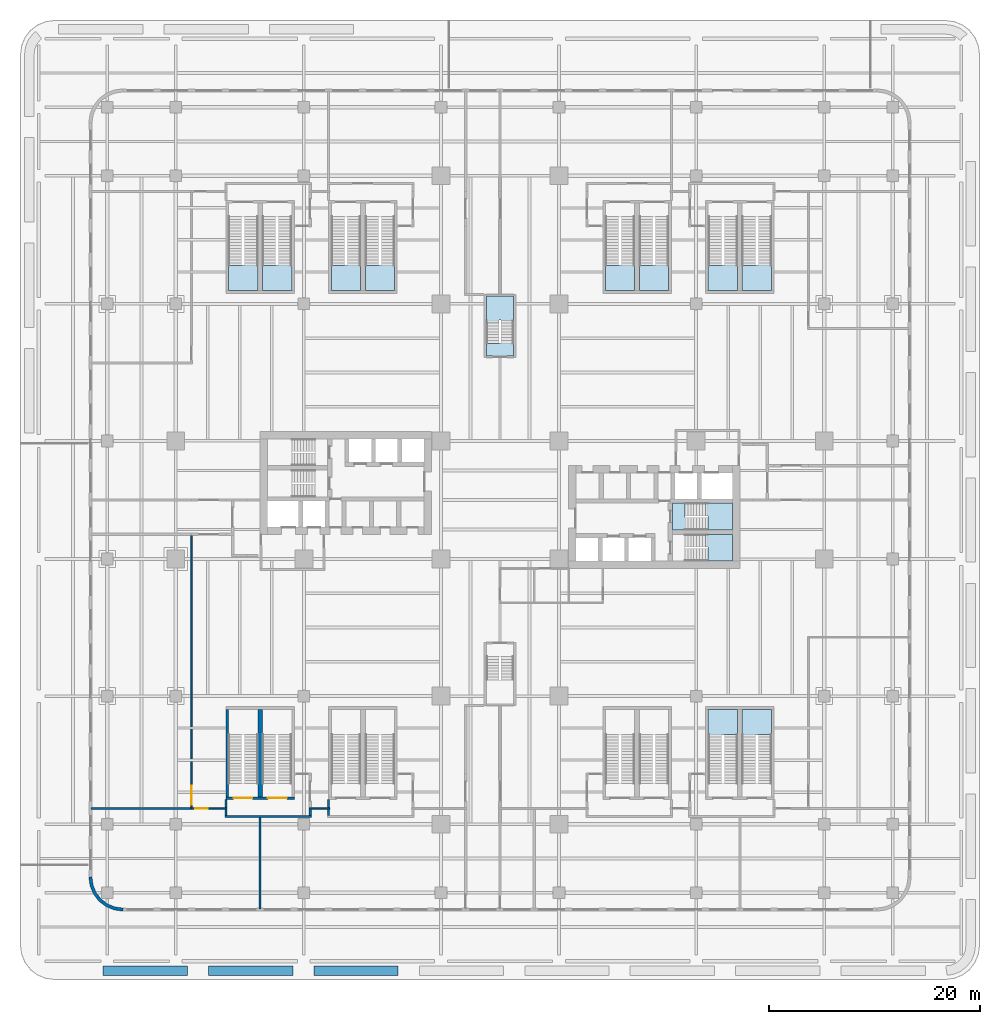
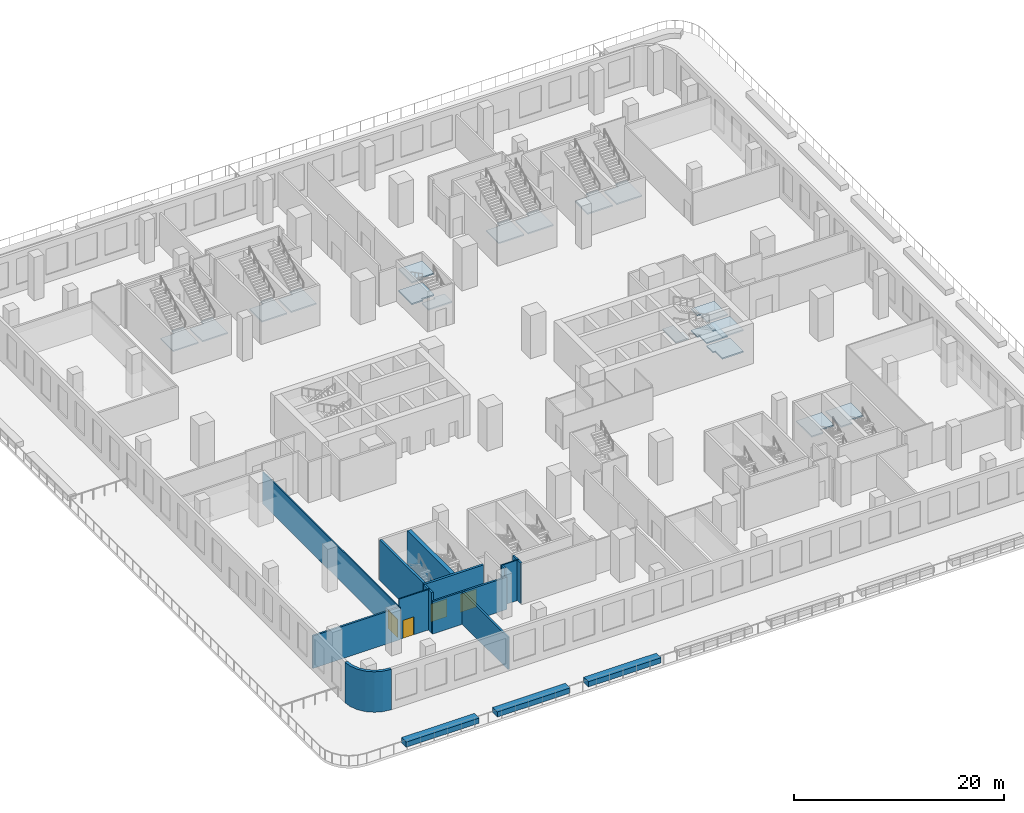
# One storey, part 5 of 18: 18 slabs, 18 walls, 4 doors, 4 openings, 13 elements without a shape of their own.
"""IFC4 building model written with IfcOpenShell, lengths in metres."""

from ifc_helpers import new_model, si_unit, direction, frame, frame_2d, origin, place, context, subcontext, project, spatial, polyline, rectangle, outline, extrude, source, transform, mapped, material, layer, layer_set, type_object, element, fill, aggregate, save


model = new_model("IFC4")

# Units and contexts
model_context = context("Model", 3, precision=1e-05, world=origin(), true_north=direction((0.0, 1.0)))
body_context = subcontext(model_context, "Body", "Model", "MODEL_VIEW")
ifc_project = project(units=[si_unit("LENGTHUNIT", "METRE"), si_unit("AREAUNIT", "SQUARE_METRE"), si_unit("VOLUMEUNIT", "CUBIC_METRE"), si_unit("PLANEANGLEUNIT", "RADIAN"), si_unit("MASSUNIT", "GRAM", prefix="KILO")], contexts=[model_context])

# Site, building, storey
site_placement = place(None, origin())
site = spatial("IfcSite", under=ifc_project, at=site_placement, CompositionType="ELEMENT")
building_placement = place(site_placement, origin())
building = spatial("IfcBuilding", under=site, at=building_placement, Name="Trellis Farm Tower", CompositionType="ELEMENT")
storey_placement = place(building_placement, frame((0.0, 0.0, 14.0)))
storey = spatial("IfcBuildingStorey", under=building, at=storey_placement, Name="L02", CompositionType="ELEMENT", Elevation=14.0)

# Stair, slabs
ifc_material_1 = material(Name="Concrete C50/60", Category="concrete")
stair_type_1 = type_object("IfcStairType", Name="CORE EXIT STAIR 36 RISERS 139 MM", PredefinedType="HALF_TURN_STAIR", material=ifc_material_1)
placement_1 = place(storey_placement, origin())
stair_1 = element("IfcStair", 1, at=placement_1, inside=storey, type_object=stair_type_1, Name="Exit stair N", PredefinedType="HALF_TURN_STAIR")
ifc_layer_1 = layer(ifc_material_1, 0.14990234375)
ifc_layer_set_1 = layer_set([ifc_layer_1], Name="CORE STAIR LANDING 150 CONCRETE C50/60")
slab_type = type_object("IfcSlabType", Name="CORE STAIR LANDING 150 CONCRETE C50/60", PredefinedType="LANDING", material=ifc_layer_set_1)
shared_shape_1 = source(origin(), body_context, "Body", "SweptSolid", [
    extrude(outline(polyline([(-0.10009765625, 16.79052734375), (-1.300048828125, 16.79052734375), (-1.300048828125, 17.050048828125), (-1.300048828125, 19.35009765625), (1.300048828125, 19.35009765625), (1.300048828125, 17.050048828125), (1.300048828125, 17.0400390625), (0.10009765625, 17.0400390625), (0.10009765625, 17.050048828125), (-0.10009765625, 17.050048828125), (-0.10009765625, 16.79052734375)])), origin(), (0.0, 0.0, 1.0), 0.14990234375),
])
placement_2 = place(storey_placement, frame((0.0, 0.0, 1.10009765625)))
slab_1 = element("IfcSlab", 2, at=placement_2, type_object=slab_type, Name="STN landing 1", PredefinedType="LANDING", context=body_context, shape_type="MappedRepresentation", body=[
    mapped(shared_shape_1, transform((0.0, 0.0, 0.0))),
])
placement_3 = place(storey_placement, frame((0.0, 0.0, 3.60009765625)))
slab_2 = element("IfcSlab", 3, at=placement_3, type_object=slab_type, Name="STN landing 3", PredefinedType="LANDING", context=body_context, shape_type="MappedRepresentation", body=[
    mapped(shared_shape_1, transform((0.0, 0.0, 0.0))),
])
shared_shape_2 = source(origin(), body_context, "Body", "SweptSolid", [
    extrude(outline(polyline([(1.300048828125, 13.64990234375), (-1.300048828125, 13.64990234375), (-1.300048828125, 14.85009765625), (-1.300048828125, 14.860107421875), (-0.10009765625, 14.860107421875), (-0.10009765625, 14.85009765625), (0.10009765625, 14.85009765625), (0.10009765625, 15.109375), (1.300048828125, 15.109375), (1.300048828125, 14.85009765625), (1.300048828125, 13.64990234375)])), origin(), (0.0, 0.0, 1.0), 0.14990234375),
])
placement_4 = place(storey_placement, frame((0.0, 0.0, 2.35009765625)))
slab_3 = element("IfcSlab", 4, at=placement_4, type_object=slab_type, Name="STN landing 2", PredefinedType="LANDING", context=body_context, shape_type="MappedRepresentation", body=[
    mapped(shared_shape_2, transform((0.0, 0.0, 0.0))),
])
aggregate(stair_1, [slab_1, slab_3, slab_2])

stair_2 = element("IfcStair", 5, at=placement_1, inside=storey, type_object=stair_type_1, Name="Exit stair E1", PredefinedType="HALF_TURN_STAIR")
shared_shape_3 = source(origin(), body_context, "Body", "SweptSolid", [
    extrude(outline(polyline([(19.739990234375, -5.800048828125), (19.739990234375, -4.60009765625), (19.75, -4.60009765625), (19.75, -4.449951171875), (19.49072265625, -4.449951171875), (19.49072265625, -3.25), (19.75, -3.25), (22.050048828125, -3.25), (22.050048828125, -5.800048828125), (19.75, -5.800048828125), (19.739990234375, -5.800048828125)])), origin(), (0.0, 0.0, 1.0), 0.14990234375),
])
slab_4 = element("IfcSlab", 6, at=placement_2, type_object=slab_type, Name="STE1 landing 1", PredefinedType="LANDING", context=body_context, shape_type="MappedRepresentation", body=[
    mapped(shared_shape_3, transform((0.0, 0.0, 0.0))),
])
slab_5 = element("IfcSlab", 7, at=placement_3, type_object=slab_type, Name="STE1 landing 3", PredefinedType="LANDING", context=body_context, shape_type="MappedRepresentation", body=[
    mapped(shared_shape_3, transform((0.0, 0.0, 0.0))),
])
aggregate(stair_2, [slab_4, slab_5])

stair_3 = element("IfcStair", 8, at=placement_1, inside=storey, type_object=stair_type_1, Name="Exit stair E2", PredefinedType="HALF_TURN_STAIR")
shared_shape_4 = source(origin(), body_context, "Body", "SweptSolid", [
    extrude(outline(polyline([(19.739990234375, -2.85009765625), (19.739990234375, -1.64990234375), (19.75, -1.64990234375), (19.75, -1.5), (19.49072265625, -1.5), (19.49072265625, -0.300048828125), (19.75, -0.300048828125), (22.050048828125, -0.300048828125), (22.050048828125, -2.85009765625), (19.75, -2.85009765625), (19.739990234375, -2.85009765625)])), origin(), (0.0, 0.0, 1.0), 0.14990234375),
])
slab_6 = element("IfcSlab", 9, at=placement_2, type_object=slab_type, Name="STE2 landing 1", PredefinedType="LANDING", context=body_context, shape_type="MappedRepresentation", body=[
    mapped(shared_shape_4, transform((0.0, 0.0, 0.0))),
])
slab_7 = element("IfcSlab", 10, at=placement_3, type_object=slab_type, Name="STE2 landing 3", PredefinedType="LANDING", context=body_context, shape_type="MappedRepresentation", body=[
    mapped(shared_shape_4, transform((0.0, 0.0, 0.0))),
])
shared_shape_5 = source(origin(), body_context, "Body", "SweptSolid", [
    extrude(outline(polyline([(17.809326171875, -1.64990234375), (17.809326171875, -2.85009765625), (17.550048828125, -2.85009765625), (16.35009765625, -2.85009765625), (16.35009765625, -0.300048828125), (17.550048828125, -0.300048828125), (17.56005859375, -0.300048828125), (17.56005859375, -1.5), (17.550048828125, -1.5), (17.550048828125, -1.64990234375), (17.809326171875, -1.64990234375)])), origin(), (0.0, 0.0, 1.0), 0.14990234375),
])
slab_8 = element("IfcSlab", 11, at=placement_4, type_object=slab_type, Name="STE2 landing 2", PredefinedType="LANDING", context=body_context, shape_type="MappedRepresentation", body=[
    mapped(shared_shape_5, transform((0.0, 0.0, 0.0))),
])
aggregate(stair_3, [slab_6, slab_8, slab_7])

# Stair, slab
stair_type_2 = type_object("IfcStairType", Name="PODIUM EXIT STAIR 36 RISERS 139 MM 1250 WIDE", PredefinedType="HALF_TURN_STAIR", material=ifc_material_1)
stair_4 = element("IfcStair", 12, at=placement_1, inside=storey, type_object=stair_type_2, Name="Podium exit stair STP1A", PredefinedType="HALF_TURN_STAIR")
shared_shape_6 = source(origin(), body_context, "Body", "SweptSolid", [
    extrude(outline(polyline([(-22.969970703125, 19.85009765625), (-25.75, 19.85009765625), (-25.75, 22.22509765625), (-25.75, 22.235107421875), (-24.5, 22.235107421875), (-24.5, 22.22509765625), (-24.219970703125, 22.22509765625), (-24.219970703125, 22.793701171875), (-22.969970703125, 22.793701171875), (-22.969970703125, 22.22509765625), (-22.969970703125, 19.85009765625)])), origin(), (0.0, 0.0, 1.0), 0.14990234375),
])
slab_9 = element("IfcSlab", 13, at=placement_4, type_object=slab_type, Name="STP1A landing 1", PredefinedType="LANDING", context=body_context, shape_type="MappedRepresentation", body=[
    mapped(shared_shape_6, transform((0.0, 0.0, 0.0))),
])
aggregate(stair_4, [slab_9])

stair_5 = element("IfcStair", 14, at=placement_1, inside=storey, type_object=stair_type_2, Name="Podium exit stair STP1B", PredefinedType="HALF_TURN_STAIR")
shared_shape_7 = source(origin(), body_context, "Body", "SweptSolid", [
    extrude(outline(polyline([(-19.75, 19.85009765625), (-22.530029296875, 19.85009765625), (-22.530029296875, 22.22509765625), (-22.530029296875, 22.235107421875), (-21.280029296875, 22.235107421875), (-21.280029296875, 22.22509765625), (-21.0, 22.22509765625), (-21.0, 22.793701171875), (-19.75, 22.793701171875), (-19.75, 22.22509765625), (-19.75, 19.85009765625)])), origin(), (0.0, 0.0, 1.0), 0.14990234375),
])
slab_10 = element("IfcSlab", 15, at=placement_4, type_object=slab_type, Name="STP1B landing 1", PredefinedType="LANDING", context=body_context, shape_type="MappedRepresentation", body=[
    mapped(shared_shape_7, transform((0.0, 0.0, 0.0))),
])
aggregate(stair_5, [slab_10])

stair_6 = element("IfcStair", 16, at=placement_1, inside=storey, type_object=stair_type_2, Name="Podium exit stair STP2A", PredefinedType="HALF_TURN_STAIR")
shared_shape_8 = source(origin(), body_context, "Body", "SweptSolid", [
    extrude(outline(polyline([(-13.219970703125, 19.85009765625), (-16.0, 19.85009765625), (-16.0, 22.22509765625), (-16.0, 22.235107421875), (-14.75, 22.235107421875), (-14.75, 22.22509765625), (-14.469970703125, 22.22509765625), (-14.469970703125, 22.793701171875), (-13.219970703125, 22.793701171875), (-13.219970703125, 22.22509765625), (-13.219970703125, 19.85009765625)])), origin(), (0.0, 0.0, 1.0), 0.14990234375),
])
slab_11 = element("IfcSlab", 17, at=placement_4, type_object=slab_type, Name="STP2A landing 1", PredefinedType="LANDING", context=body_context, shape_type="MappedRepresentation", body=[
    mapped(shared_shape_8, transform((0.0, 0.0, 0.0))),
])
aggregate(stair_6, [slab_11])

stair_7 = element("IfcStair", 18, at=placement_1, inside=storey, type_object=stair_type_2, Name="Podium exit stair STP2B", PredefinedType="HALF_TURN_STAIR")
shared_shape_9 = source(origin(), body_context, "Body", "SweptSolid", [
    extrude(outline(polyline([(-10.0, 19.85009765625), (-12.780029296875, 19.85009765625), (-12.780029296875, 22.22509765625), (-12.780029296875, 22.235107421875), (-11.530029296875, 22.235107421875), (-11.530029296875, 22.22509765625), (-11.25, 22.22509765625), (-11.25, 22.793701171875), (-10.0, 22.793701171875), (-10.0, 22.22509765625), (-10.0, 19.85009765625)])), origin(), (0.0, 0.0, 1.0), 0.14990234375),
])
slab_12 = element("IfcSlab", 19, at=placement_4, type_object=slab_type, Name="STP2B landing 1", PredefinedType="LANDING", context=body_context, shape_type="MappedRepresentation", body=[
    mapped(shared_shape_9, transform((0.0, 0.0, 0.0))),
])
aggregate(stair_7, [slab_12])

stair_8 = element("IfcStair", 20, at=placement_1, inside=storey, type_object=stair_type_2, Name="Podium exit stair STP3A", PredefinedType="HALF_TURN_STAIR")
shared_shape_10 = source(origin(), body_context, "Body", "SweptSolid", [
    extrude(outline(polyline([(12.780029296875, 19.85009765625), (10.0, 19.85009765625), (10.0, 22.22509765625), (10.0, 22.235107421875), (11.25, 22.235107421875), (11.25, 22.22509765625), (11.530029296875, 22.22509765625), (11.530029296875, 22.793701171875), (12.780029296875, 22.793701171875), (12.780029296875, 22.22509765625), (12.780029296875, 19.85009765625)])), origin(), (0.0, 0.0, 1.0), 0.14990234375),
])
slab_13 = element("IfcSlab", 21, at=placement_4, type_object=slab_type, Name="STP3A landing 1", PredefinedType="LANDING", context=body_context, shape_type="MappedRepresentation", body=[
    mapped(shared_shape_10, transform((0.0, 0.0, 0.0))),
])
aggregate(stair_8, [slab_13])

stair_9 = element("IfcStair", 22, at=placement_1, inside=storey, type_object=stair_type_2, Name="Podium exit stair STP3B", PredefinedType="HALF_TURN_STAIR")
shared_shape_11 = source(origin(), body_context, "Body", "SweptSolid", [
    extrude(outline(polyline([(16.0, 19.85009765625), (13.219970703125, 19.85009765625), (13.219970703125, 22.22509765625), (13.219970703125, 22.235107421875), (14.469970703125, 22.235107421875), (14.469970703125, 22.22509765625), (14.75, 22.22509765625), (14.75, 22.793701171875), (16.0, 22.793701171875), (16.0, 22.22509765625), (16.0, 19.85009765625)])), origin(), (0.0, 0.0, 1.0), 0.14990234375),
])
slab_14 = element("IfcSlab", 23, at=placement_4, type_object=slab_type, Name="STP3B landing 1", PredefinedType="LANDING", context=body_context, shape_type="MappedRepresentation", body=[
    mapped(shared_shape_11, transform((0.0, 0.0, 0.0))),
])
aggregate(stair_9, [slab_14])

stair_10 = element("IfcStair", 24, at=placement_1, inside=storey, type_object=stair_type_2, Name="Podium exit stair STP4A", PredefinedType="HALF_TURN_STAIR")
shared_shape_12 = source(origin(), body_context, "Body", "SweptSolid", [
    extrude(outline(polyline([(22.530029296875, 19.85009765625), (19.75, 19.85009765625), (19.75, 22.22509765625), (19.75, 22.235107421875), (21.0, 22.235107421875), (21.0, 22.22509765625), (21.280029296875, 22.22509765625), (21.280029296875, 22.793701171875), (22.530029296875, 22.793701171875), (22.530029296875, 22.22509765625), (22.530029296875, 19.85009765625)])), origin(), (0.0, 0.0, 1.0), 0.14990234375),
])
slab_15 = element("IfcSlab", 25, at=placement_4, type_object=slab_type, Name="STP4A landing 1", PredefinedType="LANDING", context=body_context, shape_type="MappedRepresentation", body=[
    mapped(shared_shape_12, transform((0.0, 0.0, 0.0))),
])
aggregate(stair_10, [slab_15])

stair_11 = element("IfcStair", 26, at=placement_1, inside=storey, type_object=stair_type_2, Name="Podium exit stair STP4B", PredefinedType="HALF_TURN_STAIR")
shared_shape_13 = source(origin(), body_context, "Body", "SweptSolid", [
    extrude(outline(polyline([(25.75, 19.85009765625), (22.969970703125, 19.85009765625), (22.969970703125, 22.22509765625), (22.969970703125, 22.235107421875), (24.219970703125, 22.235107421875), (24.219970703125, 22.22509765625), (24.5, 22.22509765625), (24.5, 22.793701171875), (25.75, 22.793701171875), (25.75, 22.22509765625), (25.75, 19.85009765625)])), origin(), (0.0, 0.0, 1.0), 0.14990234375),
])
slab_16 = element("IfcSlab", 27, at=placement_4, type_object=slab_type, Name="STP4B landing 1", PredefinedType="LANDING", context=body_context, shape_type="MappedRepresentation", body=[
    mapped(shared_shape_13, transform((0.0, 0.0, 0.0))),
])
aggregate(stair_11, [slab_16])

stair_12 = element("IfcStair", 28, at=placement_1, inside=storey, type_object=stair_type_2, Name="Podium exit stair STP8A", PredefinedType="HALF_TURN_STAIR")
shared_shape_14 = source(origin(), body_context, "Body", "SweptSolid", [
    extrude(outline(polyline([(21.0, -22.793701171875), (19.75, -22.793701171875), (19.75, -22.22509765625), (19.75, -19.85009765625), (22.530029296875, -19.85009765625), (22.530029296875, -22.22509765625), (22.530029296875, -22.235107421875), (21.280029296875, -22.235107421875), (21.280029296875, -22.22509765625), (21.0, -22.22509765625), (21.0, -22.793701171875)])), origin(), (0.0, 0.0, 1.0), 0.14990234375),
])
slab_17 = element("IfcSlab", 29, at=placement_4, type_object=slab_type, Name="STP8A landing 1", PredefinedType="LANDING", context=body_context, shape_type="MappedRepresentation", body=[
    mapped(shared_shape_14, transform((0.0, 0.0, 0.0))),
])
aggregate(stair_12, [slab_17])

stair_13 = element("IfcStair", 30, at=placement_1, inside=storey, type_object=stair_type_2, Name="Podium exit stair STP8B", PredefinedType="HALF_TURN_STAIR")
shared_shape_15 = source(origin(), body_context, "Body", "SweptSolid", [
    extrude(outline(polyline([(24.219970703125, -22.793701171875), (22.969970703125, -22.793701171875), (22.969970703125, -22.22509765625), (22.969970703125, -19.85009765625), (25.75, -19.85009765625), (25.75, -22.22509765625), (25.75, -22.235107421875), (24.5, -22.235107421875), (24.5, -22.22509765625), (24.219970703125, -22.22509765625), (24.219970703125, -22.793701171875)])), origin(), (0.0, 0.0, 1.0), 0.14990234375),
])
slab_18 = element("IfcSlab", 31, at=placement_4, type_object=slab_type, Name="STP8B landing 1", PredefinedType="LANDING", context=body_context, shape_type="MappedRepresentation", body=[
    mapped(shared_shape_15, transform((0.0, 0.0, 0.0))),
])
aggregate(stair_13, [slab_18])

# Wall, opening, door
ifc_material_2 = material(Name="Plasterboard on steel studs, mineral wool", Category="steel")
ifc_layer_2 = layer(ifc_material_2, 0.125)
ifc_layer_set_2 = layer_set([ifc_layer_2], Name="PARTITION 125 STUD EI 60")
wall_type_1 = type_object("IfcWallType", Name="PARTITION 125 STUD EI 60", PredefinedType="PARTITIONING", material=ifc_layer_set_2)
wall_1_placement = place(storey_placement, frame((-29.25, -29.14990234375, 0.0), z_axis=(0.0, 0.0, 1.0), x_axis=(0.0, 1.0, 0.0)))
wall_1 = element("IfcWall", 32, at=wall_1_placement, inside=storey, type_object=wall_type_1, Name="Partition PW1", PredefinedType="PARTITIONING", context=body_context, shape_type="SweptSolid", body=[
    extrude(rectangle(XDim=25.7998046875, YDim=0.125, at=frame_2d((12.89990234375, 0.0))), origin(), (0.0, 0.0, 1.0), 3.76171875),
])
shared_shape_16 = source(origin(), body_context, "Body", "SweptSolid", [
    extrude(rectangle(XDim=1.800048828125, YDim=2.10009765625, at=frame_2d((0.89990234375, 1.050048828125))), frame((0.0, 0.072509765625, 0.0), z_axis=(0.0, -1.0, 0.0), x_axis=(1.0, 0.0, 0.0)), (0.0, 0.0, 1.0), 0.14501953125),
])
opening_1_placement = place(wall_1_placement, frame((0.25, 0.0, 0.0)))
opening_1 = element("IfcOpeningElement", 33, at=opening_1_placement, cuts=wall_1, Name="Opening D201", PredefinedType="OPENING", context=body_context, shape_type="MappedRepresentation", body=[
    mapped(shared_shape_16, transform((0.0, 0.0, 0.0))),
])
ifc_material_3 = material(Name="Fire-rated timber door leaf in a hollow metal frame", Category="wood")
door_type_1 = type_object("IfcDoorType", Name="DOOR PAIR 1800x2100 FD30S", OperationType="NOTDEFINED", PredefinedType="DOOR", material=ifc_material_3)
shared_shape_17 = source(origin(), body_context, "Body", "SweptSolid", [
    extrude(rectangle(XDim=1.800048828125, YDim=2.10009765625, at=frame_2d((0.89990234375, 1.050048828125))), frame((0.0, 0.02490234375, 0.0), z_axis=(0.0, -1.0, 0.0), x_axis=(1.0, 0.0, 0.0)), (0.0, 0.0, 1.0), 0.050048828125),
])
door_1_placement = place(opening_1_placement, origin())
door_1 = element("IfcDoor", 34, at=door_1_placement, inside=storey, type_object=door_type_1, Name="Door D201", OperationType="DOUBLE_DOOR_SINGLE_SWING", OverallHeight=2.10009765625, OverallWidth=1.800048828125, PredefinedType="DOOR", context=body_context, shape_type="MappedRepresentation", body=[
    mapped(shared_shape_17, transform((0.0, 0.0, 0.0))),
])
fill(opening_1, door_1)

# Walls
ifc_material_4 = material(Name="Sandstone faced masonry planter", Category="masonry")
ifc_layer_3 = layer(ifc_material_4, 0.89990234375)
ifc_layer_set_3 = layer_set([ifc_layer_3], Name="TERRACE PLANTER BED 900")
wall_type_2 = type_object("IfcWallType", Name="TERRACE PLANTER BED 900", PredefinedType="USERDEFINED", material=ifc_layer_set_3)
element("IfcWall", 35, at=placement_1, inside=storey, type_object=wall_type_2, Name="PLANTER bed", ObjectType="PLANTER", PredefinedType="USERDEFINED", context=body_context, shape_type="SweptSolid", body=[
    extrude(outline(polyline([(-37.652587890625, -44.199951171875), (-29.652587890625, -44.199951171875), (-29.652587890625, -45.10009765625), (-37.652587890625, -45.10009765625), (-37.652587890625, -44.199951171875)])), origin(), (0.0, 0.0, 1.0), 0.60009765625),
])
element("IfcWall", 36, at=placement_1, inside=storey, type_object=wall_type_2, Name="PLANTER bed", ObjectType="PLANTER", PredefinedType="USERDEFINED", context=body_context, shape_type="SweptSolid", body=[
    extrude(outline(polyline([(-27.652587890625, -44.199951171875), (-19.652587890625, -44.199951171875), (-19.652587890625, -45.10009765625), (-27.652587890625, -45.10009765625), (-27.652587890625, -44.199951171875)])), origin(), (0.0, 0.0, 1.0), 0.60009765625),
])
element("IfcWall", 37, at=placement_1, inside=storey, type_object=wall_type_2, Name="PLANTER bed", ObjectType="PLANTER", PredefinedType="USERDEFINED", context=body_context, shape_type="SweptSolid", body=[
    extrude(outline(polyline([(-17.652587890625, -44.199951171875), (-9.652587890625, -44.199951171875), (-9.652587890625, -45.10009765625), (-17.652587890625, -45.10009765625), (-17.652587890625, -44.199951171875)])), origin(), (0.0, 0.0, 1.0), 0.60009765625),
])

# Wall, openings, doors
ifc_material_5 = material(Name="Concrete C80/95", Category="concrete")
ifc_layer_4 = layer(ifc_material_5, 0.25)
ifc_layer_set_4 = layer_set([ifc_layer_4], Name="CORE STAIR ENCLOSURE WALL 250 CONCRETE C80/95")
wall_type_3 = type_object("IfcWallType", Name="CORE STAIR ENCLOSURE WALL 250 CONCRETE C80/95", PredefinedType="SHEAR", material=ifc_layer_set_4)
shared_shape_18 = source(origin(), body_context, "Body", "SweptSolid", [
    extrude(rectangle(XDim=6.5, YDim=0.25, at=frame_2d((3.25, 0.0))), origin(), (0.0, 0.0, 1.0), 4.699951171875),
])
wall_5_placement = place(storey_placement, frame((-26.0, -28.27490234375, 0.0), z_axis=(0.0, 0.0, 1.0), x_axis=(1.0, 0.0, 0.0)))
wall_5 = element("IfcWall", 38, at=wall_5_placement, inside=storey, type_object=wall_type_3, Name="Podium stair enclosure wall", PredefinedType="SHEAR", context=body_context, shape_type="MappedRepresentation", body=[
    mapped(shared_shape_18, transform((0.0, 0.0, 0.0))),
])
shared_shape_19 = source(origin(), body_context, "Body", "SweptSolid", [
    extrude(rectangle(XDim=1.800048828125, YDim=2.10009765625, at=frame_2d((0.89990234375, 1.050048828125))), frame((0.0, 0.135009765625, 0.0), z_axis=(0.0, -1.0, 0.0), x_axis=(1.0, 0.0, 0.0)), (0.0, 0.0, 1.0), 0.27001953125),
])
opening_2_placement = place(wall_5_placement, frame((0.72509765625, 0.0, 0.0)))
opening_2 = element("IfcOpeningElement", 39, at=opening_2_placement, cuts=wall_5, Name="Opening DP9", PredefinedType="OPENING", context=body_context, shape_type="MappedRepresentation", body=[
    mapped(shared_shape_19, transform((0.0, 0.0, 0.0))),
])
opening_3_placement = place(wall_5_placement, frame((3.97509765625, 0.0, 0.0)))
opening_3 = element("IfcOpeningElement", 40, at=opening_3_placement, cuts=wall_5, Name="Opening DP10", PredefinedType="OPENING", context=body_context, shape_type="MappedRepresentation", body=[
    mapped(shared_shape_19, transform((0.0, 0.0, 0.0))),
])
ifc_material_6 = material(Name="Steel", Category="steel")
door_type_2 = type_object("IfcDoorType", Name="CORE FIRE DOOR DOUBLE 1800 X 2100", OperationType="DOUBLE_DOOR_SINGLE_SWING", PredefinedType="DOOR", material=ifc_material_6)
door_2_placement = place(opening_2_placement, origin())
door_2 = element("IfcDoor", 41, at=door_2_placement, inside=storey, type_object=door_type_2, Name="Podium stair door", OperationType="DOUBLE_DOOR_SINGLE_SWING", OverallHeight=2.10009765625, OverallWidth=1.800048828125, PredefinedType="DOOR", context=body_context, shape_type="MappedRepresentation", body=[
    mapped(shared_shape_17, transform((0.0, 0.0, 0.0))),
])
fill(opening_2, door_2)
door_3_placement = place(opening_3_placement, origin())
door_3 = element("IfcDoor", 42, at=door_3_placement, inside=storey, type_object=door_type_2, Name="Podium stair door", OperationType="DOUBLE_DOOR_SINGLE_SWING", OverallHeight=2.10009765625, OverallWidth=1.800048828125, PredefinedType="DOOR", context=body_context, shape_type="MappedRepresentation", body=[
    mapped(shared_shape_17, transform((0.0, 0.0, 0.0))),
])
fill(opening_3, door_3)

# Walls
shared_shape_20 = source(origin(), body_context, "Body", "SweptSolid", [
    extrude(rectangle(XDim=8.2998046875, YDim=0.25, at=frame_2d((4.14990234375, 0.0))), origin(), (0.0, 0.0, 1.0), 4.699951171875),
])
wall_6_placement = place(storey_placement, frame((-25.875, -28.14990234375, 0.0), z_axis=(0.0, 0.0, 1.0), x_axis=(0.0, 1.0, 0.0)))
element("IfcWall", 43, at=wall_6_placement, inside=storey, type_object=wall_type_3, Name="Podium stair enclosure wall", PredefinedType="SHEAR", context=body_context, shape_type="MappedRepresentation", body=[
    mapped(shared_shape_20, transform((0.0, 0.0, 0.0))),
])
ifc_layer_5 = layer(ifc_material_5, 0.43994140625)
ifc_layer_set_5 = layer_set([ifc_layer_5], Name="CORE STAIR ENCLOSURE WALL 440 CONCRETE C80/95")
wall_type_4 = type_object("IfcWallType", Name="CORE STAIR ENCLOSURE WALL 440 CONCRETE C80/95", PredefinedType="SHEAR", material=ifc_layer_set_5)
shared_shape_21 = source(origin(), body_context, "Body", "SweptSolid", [
    extrude(rectangle(XDim=8.2998046875, YDim=0.43994140625, at=frame_2d((4.14990234375, 0.0))), origin(), (0.0, 0.0, 1.0), 4.699951171875),
])
wall_7_placement = place(storey_placement, frame((-22.75, -28.14990234375, 0.0), z_axis=(0.0, 0.0, 1.0), x_axis=(0.0, 1.0, 0.0)))
element("IfcWall", 44, at=wall_7_placement, inside=storey, type_object=wall_type_4, Name="Podium stair enclosure wall", PredefinedType="SHEAR", context=body_context, shape_type="MappedRepresentation", body=[
    mapped(shared_shape_21, transform((0.0, 0.0, 0.0))),
])
ifc_material_7 = material(Name="Sandstone faced insulated wall", Category="masonry")
ifc_layer_6 = layer(ifc_material_7, 0.300048828125)
ifc_layer_set_6 = layer_set([ifc_layer_6], Name="STONE CLAD EXTERNAL WALL 300")
wall_type_5 = type_object("IfcWallType", Name="STONE CLAD EXTERNAL WALL 300", PredefinedType="SOLIDWALL", material=ifc_layer_set_6)
shared_shape_22 = source(origin(), body_context, "Body", "SweptSolid", [
    extrude(outline(polyline([(-39.0, -35.75), (-38.88916015625, -36.591064453125), (-38.564697265625, -37.375), (-38.048095703125, -38.048095703125), (-37.375, -38.564697265625), (-36.591064453125, -38.88916015625), (-35.75, -39.0), (-35.730224609375, -38.699951171875), (-36.512939453125, -38.596923828125), (-37.2236328125, -38.302490234375), (-37.834228515625, -37.834228515625), (-38.302490234375, -37.2236328125), (-38.596923828125, -36.512939453125), (-38.699951171875, -35.730224609375), (-39.0, -35.75)])), origin(), (0.0, 0.0, 1.0), 4.699951171875),
])
element("IfcWall", 45, at=placement_1, inside=storey, type_object=wall_type_5, Name="EW2 C03", PredefinedType="SOLIDWALL", context=body_context, shape_type="MappedRepresentation", body=[
    mapped(shared_shape_22, transform((0.0, 0.0, 0.0))),
])
ifc_material_8 = material(Name="Lightweight blockwork, plastered", Category="masonry")
ifc_layer_7 = layer(ifc_material_8, 0.199951171875)
ifc_layer_set_7 = layer_set([ifc_layer_7], Name="BLOCK WALL 200 EI 120")
wall_type_6 = type_object("IfcWallType", Name="BLOCK WALL 200 EI 120", PredefinedType="PARTITIONING", material=ifc_layer_set_7)
shared_shape_23 = source(origin(), body_context, "Body", "SweptSolid", [
    extrude(rectangle(XDim=0.78759765625, YDim=0.199951171875, at=frame_2d((0.393798828125, 0.0))), origin(), (0.0, 0.0, 1.0), 4.699951171875),
])
for number, where, z_axis, x_axis, name in (
    (46, (-26.0, -29.1875, 0.0), (0.0, 0.0, 1.0), (0.0, 1.0, 0.0), "Partition PW3"),
    (47, (-16.25, -29.1875, 0.0), (0.0, 0.0, 1.0), (0.0, 1.0, 0.0), "Partition PW3"),
):
    element("IfcWall", number, at=place(storey_placement, frame(where, z_axis=z_axis, x_axis=x_axis)), inside=storey, type_object=wall_type_6, Name=name, PredefinedType="PARTITIONING", context=body_context, shape_type="MappedRepresentation", body=[
        mapped(shared_shape_23, transform((0.0, 0.0, 0.0))),
    ])
shared_shape_24 = source(origin(), body_context, "Body", "SweptSolid", [
    extrude(rectangle(XDim=0.58740234375, YDim=0.199951171875, at=frame_2d((0.293701171875, 0.0))), origin(), (0.0, 0.0, 1.0), 4.699951171875),
])
for number, where, z_axis, x_axis, name in (
    (48, (-26.0, -29.89990234375, 0.0), (0.0, 0.0, 1.0), (0.0, 1.0, 0.0), "Partition PW3"),
    (49, (-18.0, -29.3125, 0.0), (0.0, 0.0, 1.0), (0.0, -1.0, 0.0), "Partition PW3"),
    (50, (-16.25, -29.3125, 0.0), (0.0, 0.0, 1.0), (0.0, -1.0, 0.0), "Partition PW3"),
):
    element("IfcWall", number, at=place(storey_placement, frame(where, z_axis=z_axis, x_axis=x_axis)), inside=storey, type_object=wall_type_6, Name=name, PredefinedType="PARTITIONING", context=body_context, shape_type="MappedRepresentation", body=[
        mapped(shared_shape_24, transform((0.0, 0.0, 0.0))),
    ])
shared_shape_25 = source(origin(), body_context, "Body", "SweptSolid", [
    extrude(rectangle(XDim=8.699951171875, YDim=0.199951171875, at=frame_2d((4.35009765625, 0.0))), origin(), (0.0, 0.0, 1.0), 3.76171875),
])
wall_9_placement = place(storey_placement, frame((-22.75, -38.800048828125, 0.0), z_axis=(0.0, 0.0, 1.0), x_axis=(0.0, 1.0, 0.0)))
element("IfcWall", 51, at=wall_9_placement, inside=storey, type_object=wall_type_6, Name="Partition PW3", PredefinedType="PARTITIONING", context=body_context, shape_type="MappedRepresentation", body=[
    mapped(shared_shape_25, transform((0.0, 0.0, 0.0))),
])
shared_shape_26 = source(origin(), body_context, "Body", "SweptSolid", [
    extrude(rectangle(XDim=8.2001953125, YDim=0.199951171875, at=frame_2d((4.10009765625, 0.0))), origin(), (0.0, 0.0, 1.0), 3.76171875),
])
wall_10_placement = place(storey_placement, frame((-17.89990234375, -30.0, 0.0), z_axis=(0.0, 0.0, 1.0), x_axis=(-1.0, 0.0, 0.0)))
element("IfcWall", 52, at=wall_10_placement, inside=storey, type_object=wall_type_6, Name="Partition PW3", PredefinedType="PARTITIONING", context=body_context, shape_type="MappedRepresentation", body=[
    mapped(shared_shape_26, transform((0.0, 0.0, 0.0))),
])
shared_shape_27 = source(origin(), body_context, "Body", "SweptSolid", [
    extrude(rectangle(XDim=9.612548828125, YDim=0.199951171875, at=frame_2d((4.80615234375, 0.0))), origin(), (0.0, 0.0, 1.0), 3.76171875),
])
wall_11_placement = place(storey_placement, frame((-38.800048828125, -29.25, 0.0), z_axis=(0.0, 0.0, 1.0), x_axis=(1.0, 0.0, 0.0)))
element("IfcWall", 53, at=wall_11_placement, inside=storey, type_object=wall_type_6, Name="Partition PW3", PredefinedType="PARTITIONING", context=body_context, shape_type="MappedRepresentation", body=[
    mapped(shared_shape_27, transform((0.0, 0.0, 0.0))),
])
shared_shape_28 = source(origin(), body_context, "Body", "SweptSolid", [
    extrude(rectangle(XDim=1.9501953125, YDim=0.125, at=frame_2d((0.97509765625, 0.0))), origin(), (0.0, 0.0, 1.0), 4.699951171875),
])
wall_12_placement = place(storey_placement, frame((-16.14990234375, -29.25, 0.0), z_axis=(0.0, 0.0, 1.0), x_axis=(-1.0, 0.0, 0.0)))
element("IfcWall", 54, at=wall_12_placement, inside=storey, type_object=wall_type_1, Name="Partition PW1", PredefinedType="PARTITIONING", context=body_context, shape_type="MappedRepresentation", body=[
    mapped(shared_shape_28, transform((0.0, 0.0, 0.0))),
])

# Wall, opening, door
shared_shape_29 = source(origin(), body_context, "Body", "SweptSolid", [
    extrude(rectangle(XDim=3.41259765625, YDim=0.125, at=frame_2d((1.706298828125, 0.0))), origin(), (0.0, 0.0, 1.0), 4.699951171875),
])
wall_13_placement = place(storey_placement, frame((-25.89990234375, -29.25, 0.0), z_axis=(0.0, 0.0, 1.0), x_axis=(-1.0, 0.0, 0.0)))
wall_13 = element("IfcWall", 55, at=wall_13_placement, inside=storey, type_object=wall_type_1, Name="Partition PW1", PredefinedType="PARTITIONING", context=body_context, shape_type="MappedRepresentation", body=[
    mapped(shared_shape_29, transform((0.0, 0.0, 0.0))),
])
shared_shape_30 = source(origin(), body_context, "Body", "SweptSolid", [
    extrude(rectangle(XDim=1.199951171875, YDim=2.10009765625, at=frame_2d((0.60009765625, 1.050048828125))), frame((0.0, 0.072509765625, 0.0), z_axis=(0.0, -1.0, 0.0), x_axis=(1.0, 0.0, 0.0)), (0.0, 0.0, 1.0), 0.14501953125),
])
opening_4_placement = place(wall_13_placement, frame((1.800048828125, 0.0, 0.0)))
opening_4 = element("IfcOpeningElement", 56, at=opening_4_placement, cuts=wall_13, Name="Opening D602", PredefinedType="OPENING", context=body_context, shape_type="MappedRepresentation", body=[
    mapped(shared_shape_30, transform((0.0, 0.0, 0.0))),
])
door_type_3 = type_object("IfcDoorType", Name="DOOR 1200x2100 FD30S", OperationType="NOTDEFINED", PredefinedType="DOOR", material=ifc_material_3)
shared_shape_31 = source(origin(), body_context, "Body", "SweptSolid", [
    extrude(rectangle(XDim=1.199951171875, YDim=2.10009765625, at=frame_2d((0.60009765625, 1.050048828125))), frame((0.0, 0.02490234375, 0.0), z_axis=(0.0, -1.0, 0.0), x_axis=(1.0, 0.0, 0.0)), (0.0, 0.0, 1.0), 0.050048828125),
])
door_4_placement = place(opening_4_placement, origin())
door_4 = element("IfcDoor", 57, at=door_4_placement, inside=storey, type_object=door_type_3, Name="Door D602", OperationType="SINGLE_SWING_RIGHT", OverallHeight=2.10009765625, OverallWidth=1.199951171875, PredefinedType="DOOR", context=body_context, shape_type="MappedRepresentation", body=[
    mapped(shared_shape_31, transform((0.0, 0.0, 0.0))),
])
fill(opening_4, door_4)

save(model, "model.ifc")
